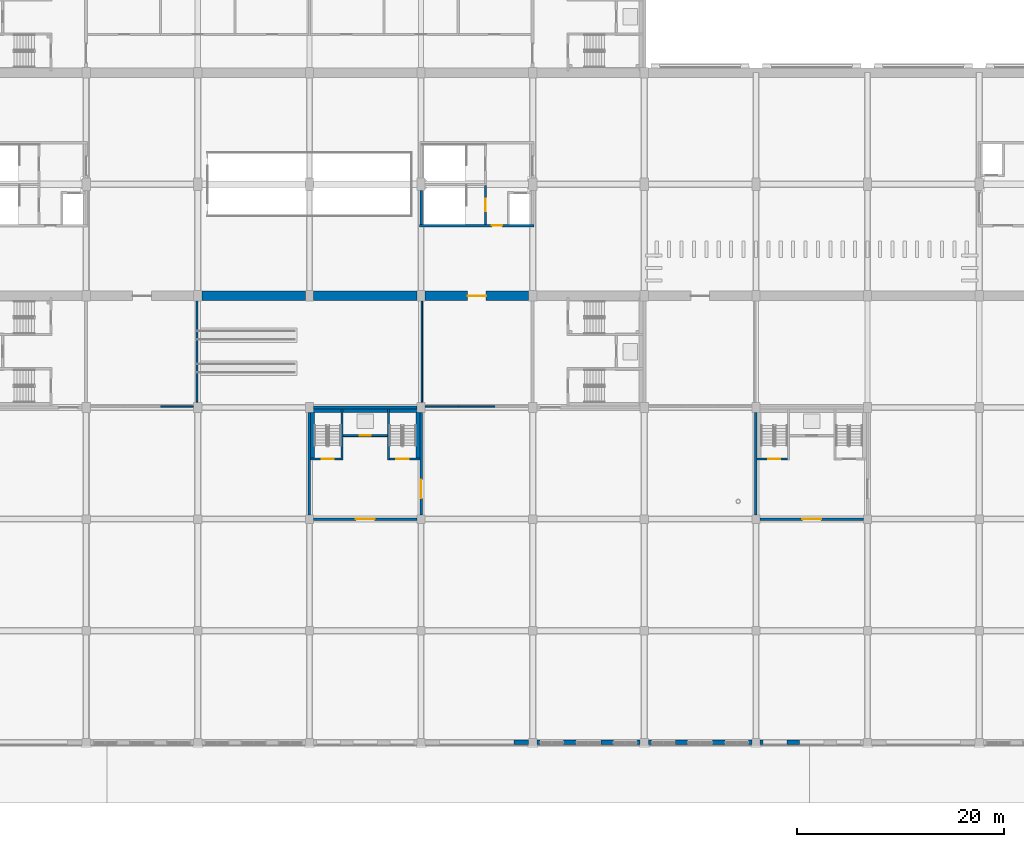
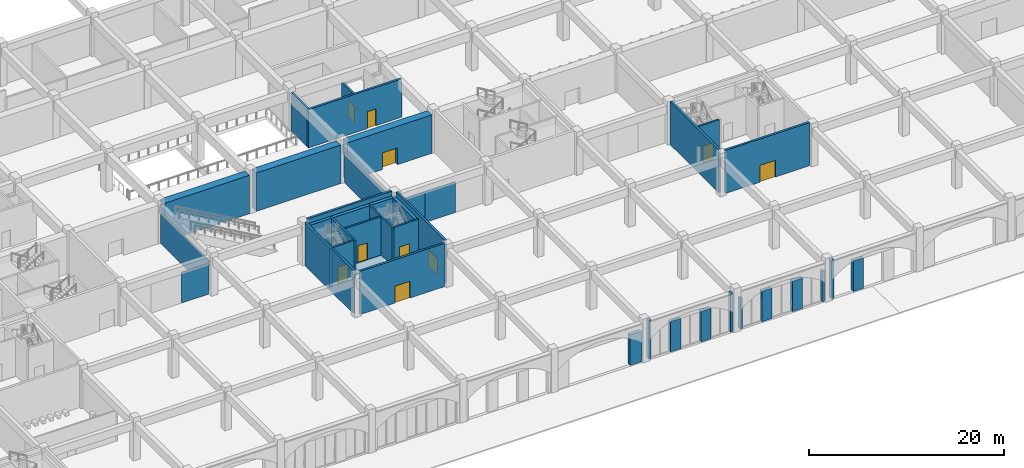
# One storey, part 29 of 101: 40 walls, 10 doors, 10 openings.
"""IFC4 building model written with IfcOpenShell, lengths in metres."""

from ifc_helpers import new_model, si_unit, direction, frame, frame_2d, origin, place, context, subcontext, project, spatial, polyline, rectangle, outline, extrude, material, layer, layer_set, type_object, element, fill, save


model = new_model("IFC4")

# Units and contexts
model_context = context("Model", 3, precision=1e-05, world=origin(), true_north=direction((0.0, 1.0)))
body_context = subcontext(model_context, "Body", "Model", "MODEL_VIEW")
ifc_project = project(units=[si_unit("LENGTHUNIT", "METRE"), si_unit("AREAUNIT", "SQUARE_METRE"), si_unit("VOLUMEUNIT", "CUBIC_METRE"), si_unit("PLANEANGLEUNIT", "RADIAN"), si_unit("MASSUNIT", "GRAM", prefix="KILO")], contexts=[model_context])

# Site, building, storey
site_placement = place(None, origin())
site = spatial("IfcSite", under=ifc_project, at=site_placement, CompositionType="ELEMENT")
building_placement = place(site_placement, origin())
building = spatial("IfcBuilding", under=site, at=building_placement, Name="Magnolia Steps Interchange", CompositionType="ELEMENT")
storey_placement = place(building_placement, frame((0.0, 0.0, -5.39990234375)))
storey = spatial("IfcBuildingStorey", under=building, at=storey_placement, Name="B1", CompositionType="ELEMENT", Elevation=-5.39990234375)

# Walls
ifc_material_1 = material(Name="Concrete C40", Category="concrete")
ifc_layer_1 = layer(ifc_material_1, 0.449951171875)
ifc_layer_set_1 = layer_set([ifc_layer_1], Name="Concrete C40 arcade wall 450")
wall_type_1 = type_object("IfcWallType", Name="Concrete C40 arcade wall 450", PredefinedType="SOLIDWALL", material=ifc_layer_set_1)
wall_1_placement = place(storey_placement, frame((105.39990234375, 10.0, 0.0), z_axis=(0.0, 0.0, 1.0), x_axis=(1.0, 0.0, 0.0)))
element("IfcWall", 1, at=wall_1_placement, inside=storey, type_object=wall_type_1, Name="Street arcade pier 29", PredefinedType="SOLIDWALL", context=body_context, shape_type="SweptSolid", body=[
    extrude(rectangle(XDim=1.400146484375, YDim=0.449951171875, at=frame_2d((0.7001953125, 0.0))), origin(), (0.0, 0.0, 1.0), 3.7998046875),
])
wall_2_placement = place(storey_placement, frame((107.60009765625, 10.0, 0.0), z_axis=(0.0, 0.0, 1.0), x_axis=(1.0, 0.0, 0.0)))
element("IfcWall", 2, at=wall_2_placement, inside=storey, type_object=wall_type_1, Name="Street arcade pier 29", PredefinedType="SOLIDWALL", context=body_context, shape_type="SweptSolid", body=[
    extrude(rectangle(XDim=0.2998046875, YDim=0.449951171875, at=frame_2d((0.14990234375, 0.0))), origin(), (0.0, 0.0, 1.0), 4.7998046875),
])
for number, where, z_axis, x_axis, name in (
    (3, (110.199951171875, 10.0, 0.0), (0.0, 0.0, 1.0), (1.0, 0.0, 0.0), "Street arcade pier 31"),
    (4, (113.800048828125, 10.0, 0.0), (0.0, 0.0, 1.0), (1.0, 0.0, 0.0), "Street arcade pier 33"),
):
    element("IfcWall", number, at=place(storey_placement, frame(where, z_axis=z_axis, x_axis=x_axis)), inside=storey, type_object=wall_type_1, Name=name, PredefinedType="SOLIDWALL", context=body_context, shape_type="SweptSolid", body=[
        extrude(rectangle(XDim=1.199951171875, YDim=0.449951171875, at=frame_2d((0.60009765625, 0.0))), origin(), (0.0, 0.0, 1.0), 3.7998046875),
    ])
wall_3_placement = place(storey_placement, frame((117.300048828125, 10.0, 0.0), z_axis=(0.0, 0.0, 1.0), x_axis=(1.0, 0.0, 0.0)))
element("IfcWall", 5, at=wall_3_placement, inside=storey, type_object=wall_type_1, Name="Street arcade pier 35", PredefinedType="SOLIDWALL", context=body_context, shape_type="SweptSolid", body=[
    extrude(rectangle(XDim=0.300048828125, YDim=0.449951171875, at=frame_2d((0.14990234375, 0.0))), origin(), (0.0, 0.0, 1.0), 4.7998046875),
])
wall_4_placement = place(storey_placement, frame((118.39990234375, 10.0, 0.0), z_axis=(0.0, 0.0, 1.0), x_axis=(1.0, 0.0, 0.0)))
element("IfcWall", 6, at=wall_4_placement, inside=storey, type_object=wall_type_1, Name="Street arcade pier 35", PredefinedType="SOLIDWALL", context=body_context, shape_type="SweptSolid", body=[
    extrude(rectangle(XDim=0.300048828125, YDim=0.449951171875, at=frame_2d((0.14990234375, 0.0))), origin(), (0.0, 0.0, 1.0), 3.7998046875),
])
for number, where, z_axis, x_axis, name in (
    (7, (121.0, 10.0, 0.0), (0.0, 0.0, 1.0), (1.0, 0.0, 0.0), "Street arcade pier 37"),
    (8, (124.60009765625, 10.0, 0.0), (0.0, 0.0, 1.0), (1.0, 0.0, 0.0), "Street arcade pier 39"),
):
    element("IfcWall", number, at=place(storey_placement, frame(where, z_axis=z_axis, x_axis=x_axis)), inside=storey, type_object=wall_type_1, Name=name, PredefinedType="SOLIDWALL", context=body_context, shape_type="SweptSolid", body=[
        extrude(rectangle(XDim=1.199951171875, YDim=0.449951171875, at=frame_2d((0.60009765625, 0.0))), origin(), (0.0, 0.0, 1.0), 3.7998046875),
    ])
wall_5_placement = place(storey_placement, frame((128.10009765625, 10.0, 0.0), z_axis=(0.0, 0.0, 1.0), x_axis=(1.0, 0.0, 0.0)))
element("IfcWall", 9, at=wall_5_placement, inside=storey, type_object=wall_type_1, Name="Street arcade pier 41", PredefinedType="SOLIDWALL", context=body_context, shape_type="SweptSolid", body=[
    extrude(rectangle(XDim=0.2998046875, YDim=0.449951171875, at=frame_2d((0.14990234375, 0.0))), origin(), (0.0, 0.0, 1.0), 3.7998046875),
])
wall_6_placement = place(storey_placement, frame((129.199951171875, 10.0, 0.0), z_axis=(0.0, 0.0, 1.0), x_axis=(1.0, 0.0, 0.0)))
element("IfcWall", 10, at=wall_6_placement, inside=storey, type_object=wall_type_1, Name="Street arcade pier 41", PredefinedType="SOLIDWALL", context=body_context, shape_type="SweptSolid", body=[
    extrude(rectangle(XDim=0.300048828125, YDim=0.449951171875, at=frame_2d((0.14990234375, 0.0))), origin(), (0.0, 0.0, 1.0), 4.7998046875),
])
wall_7_placement = place(storey_placement, frame((131.800048828125, 10.0, 0.0), z_axis=(0.0, 0.0, 1.0), x_axis=(1.0, 0.0, 0.0)))
element("IfcWall", 11, at=wall_7_placement, inside=storey, type_object=wall_type_1, Name="Street arcade pier 43", PredefinedType="SOLIDWALL", context=body_context, shape_type="SweptSolid", body=[
    extrude(rectangle(XDim=1.199951171875, YDim=0.449951171875, at=frame_2d((0.60009765625, 0.0))), origin(), (0.0, 0.0, 1.0), 3.7998046875),
])

# Wall, opening, door
ifc_material_2 = material(Name="Concrete C35", Category="concrete")
ifc_layer_2 = layer(ifc_material_2, 0.199951171875)
ifc_layer_set_2 = layer_set([ifc_layer_2], Name="Core enclosure wall 200")
wall_type_2 = type_object("IfcWallType", Name="Core enclosure wall 200", PredefinedType="SOLIDWALL", material=ifc_layer_set_2)
wall_8_placement = place(storey_placement, frame((102.625, 60.125, 0.0), z_axis=(0.0, 0.0, 1.0), x_axis=(0.0, 1.0, 0.0)))
wall_8 = element("IfcWall", 12, at=wall_8_placement, inside=storey, type_object=wall_type_2, Name="B1 PC2 enclosure wall", PredefinedType="SOLIDWALL", context=body_context, shape_type="SweptSolid", body=[
    extrude(rectangle(XDim=3.75, YDim=0.199951171875, at=frame_2d((1.875, 0.0))), origin(), (0.0, 0.0, 1.0), 3.599853515625),
])
opening_1_placement = place(wall_8_placement, frame((1.27490234375, 0.0, 0.0)))
opening_1 = element("IfcOpeningElement", 13, at=opening_1_placement, cuts=wall_8, Name="Opening D-PC2-B1-1", PredefinedType="OPENING", context=body_context, shape_type="SweptSolid", body=[
    extrude(rectangle(XDim=1.199951171875, YDim=2.10009765625, at=frame_2d((0.60009765625, 1.050048828125))), frame((0.0, 0.10986328125, 0.0), z_axis=(0.0, -1.0, 0.0), x_axis=(1.0, 0.0, 0.0)), (0.0, 0.0, 1.0), 0.219970703125),
])
ifc_material_3 = material(Name="Painted steel", Category="steel")
door_type_1 = type_object("IfcDoorType", Name="Stair fire door 1200x2100", OperationType="NOTDEFINED", PredefinedType="DOOR", material=ifc_material_3)
door_1_placement = place(opening_1_placement, frame((1.199951171875, 0.0, 0.0), z_axis=(0.0, 0.0, 1.0), x_axis=(-1.0, 0.0, 0.0)))
door_1 = element("IfcDoor", 14, at=door_1_placement, inside=storey, type_object=door_type_1, Name="Stair door ST11 B1", OperationType="SINGLE_SWING_RIGHT", OverallHeight=2.10009765625, OverallWidth=1.199951171875, PredefinedType="DOOR", context=body_context, shape_type="SweptSolid", body=[
    extrude(rectangle(XDim=1.199951171875, YDim=2.10009765625, at=frame_2d((0.60009765625, 1.050048828125))), frame((0.0, 0.02490234375, 0.0), z_axis=(0.0, -1.0, 0.0), x_axis=(1.0, 0.0, 0.0)), (0.0, 0.0, 1.0), 0.050048828125),
])
fill(opening_1, door_1)

wall_9_placement = place(storey_placement, frame((85.72509765625, 37.39990234375, 0.0), z_axis=(0.0, 0.0, 1.0), x_axis=(1.0, 0.0, 0.0)))
wall_9 = element("IfcWall", 15, at=wall_9_placement, inside=storey, type_object=wall_type_2, Name="B1 BC2 enclosure wall", PredefinedType="SOLIDWALL", context=body_context, shape_type="SweptSolid", body=[
    extrude(rectangle(XDim=2.9248046875, YDim=0.199951171875, at=frame_2d((1.46240234375, 0.0))), origin(), (0.0, 0.0, 1.0), 4.7998046875),
])
opening_2_placement = place(wall_9_placement, frame((1.050048828125, 0.0, 0.0)))
opening_2 = element("IfcOpeningElement", 16, at=opening_2_placement, cuts=wall_9, Name="Opening D-BC2-B1-1", PredefinedType="OPENING", context=body_context, shape_type="SweptSolid", body=[
    extrude(rectangle(XDim=1.199951171875, YDim=2.10009765625, at=frame_2d((0.60009765625, 1.050048828125))), frame((0.0, 0.10986328125, 0.0), z_axis=(0.0, -1.0, 0.0), x_axis=(1.0, 0.0, 0.0)), (0.0, 0.0, 1.0), 0.219970703125),
])
door_2_placement = place(opening_2_placement, frame((1.199951171875, 0.0, 0.0), z_axis=(0.0, 0.0, 1.0), x_axis=(-1.0, 0.0, 0.0)))
door_2 = element("IfcDoor", 17, at=door_2_placement, inside=storey, type_object=door_type_1, Name="Stair door ST19 B1", OperationType="SINGLE_SWING_LEFT", OverallHeight=2.10009765625, OverallWidth=1.199951171875, PredefinedType="DOOR", context=body_context, shape_type="SweptSolid", body=[
    extrude(rectangle(XDim=1.199951171875, YDim=2.10009765625, at=frame_2d((0.60009765625, 1.050048828125))), frame((0.0, 0.02490234375, 0.0), z_axis=(0.0, -1.0, 0.0), x_axis=(1.0, 0.0, 0.0)), (0.0, 0.0, 1.0), 0.050048828125),
])
fill(opening_2, door_2)

# Wall
wall_10_placement = place(storey_placement, frame((88.75, 37.300048828125, 0.0), z_axis=(0.0, 0.0, 1.0), x_axis=(0.0, 1.0, 0.0)))
element("IfcWall", 18, at=wall_10_placement, inside=storey, type_object=wall_type_2, Name="B1 BC2 enclosure wall", PredefinedType="SOLIDWALL", context=body_context, shape_type="SweptSolid", body=[
    extrude(rectangle(XDim=4.974853515625, YDim=0.199951171875, at=frame_2d((2.4873046875, 0.0))), origin(), (0.0, 0.0, 1.0), 4.7998046875),
])

# Wall, opening, door
wall_11_placement = place(storey_placement, frame((88.85009765625, 39.699951171875, 0.0), z_axis=(0.0, 0.0, 1.0), x_axis=(1.0, 0.0, 0.0)))
wall_11 = element("IfcWall", 19, at=wall_11_placement, inside=storey, type_object=wall_type_2, Name="B1 BC2 enclosure wall", PredefinedType="SOLIDWALL", context=body_context, shape_type="SweptSolid", body=[
    extrude(rectangle(XDim=4.2998046875, YDim=0.199951171875, at=frame_2d((2.14990234375, 0.0))), origin(), (0.0, 0.0, 1.0), 4.7998046875),
])
opening_3_placement = place(wall_11_placement, frame((1.60009765625, 0.0, 0.0)))
opening_3 = element("IfcOpeningElement", 20, at=opening_3_placement, cuts=wall_11, Name="Opening LD", PredefinedType="OPENING", context=body_context, shape_type="SweptSolid", body=[
    extrude(rectangle(XDim=1.10009765625, YDim=2.10009765625, at=frame_2d((0.550048828125, 1.050048828125))), frame((0.0, 0.10986328125, 0.0), z_axis=(0.0, -1.0, 0.0), x_axis=(1.0, 0.0, 0.0)), (0.0, 0.0, 1.0), 0.219970703125),
])
ifc_material_4 = material(Name="Stainless steel grade 304", Category="steel")
door_type_2 = type_object("IfcDoorType", Name="Lift landing door 1100x2100", OperationType="DOUBLE_DOOR_SLIDING", PredefinedType="DOOR", material=ifc_material_4)
door_3_placement = place(opening_3_placement, frame((1.10009765625, 0.0, 0.0), z_axis=(0.0, 0.0, 1.0), x_axis=(-1.0, 0.0, 0.0)))
door_3 = element("IfcDoor", 21, at=door_3_placement, inside=storey, type_object=door_type_2, Name="Lift landing door LF9 B1", OperationType="DOUBLE_DOOR_SLIDING", OverallHeight=2.10009765625, OverallWidth=1.10009765625, PredefinedType="DOOR", context=body_context, shape_type="SweptSolid", body=[
    extrude(rectangle(XDim=1.10009765625, YDim=2.10009765625, at=frame_2d((0.550048828125, 1.050048828125))), frame((0.0, 0.02490234375, 0.0), z_axis=(0.0, -1.0, 0.0), x_axis=(1.0, 0.0, 0.0)), (0.0, 0.0, 1.0), 0.050048828125),
])
fill(opening_3, door_3)

# Wall
wall_12_placement = place(storey_placement, frame((93.25, 37.300048828125, 0.0), z_axis=(0.0, 0.0, 1.0), x_axis=(0.0, 1.0, 0.0)))
element("IfcWall", 22, at=wall_12_placement, inside=storey, type_object=wall_type_2, Name="B1 BC2 enclosure wall", PredefinedType="SOLIDWALL", context=body_context, shape_type="SweptSolid", body=[
    extrude(rectangle(XDim=4.974853515625, YDim=0.199951171875, at=frame_2d((2.4873046875, 0.0))), origin(), (0.0, 0.0, 1.0), 4.7998046875),
])

# Wall, opening, door
wall_13_placement = place(storey_placement, frame((93.35009765625, 37.39990234375, 0.0), z_axis=(0.0, 0.0, 1.0), x_axis=(1.0, 0.0, 0.0)))
wall_13 = element("IfcWall", 23, at=wall_13_placement, inside=storey, type_object=wall_type_2, Name="B1 BC2 enclosure wall", PredefinedType="SOLIDWALL", context=body_context, shape_type="SweptSolid", body=[
    extrude(rectangle(XDim=2.9248046875, YDim=0.199951171875, at=frame_2d((1.46240234375, 0.0))), origin(), (0.0, 0.0, 1.0), 4.7998046875),
])
opening_4_placement = place(wall_13_placement, frame((0.675048828125, 0.0, 0.0)))
opening_4 = element("IfcOpeningElement", 24, at=opening_4_placement, cuts=wall_13, Name="Opening D-BC2-B1-2", PredefinedType="OPENING", context=body_context, shape_type="SweptSolid", body=[
    extrude(rectangle(XDim=1.199951171875, YDim=2.10009765625, at=frame_2d((0.60009765625, 1.050048828125))), frame((0.0, 0.10986328125, 0.0), z_axis=(0.0, -1.0, 0.0), x_axis=(1.0, 0.0, 0.0)), (0.0, 0.0, 1.0), 0.219970703125),
])
door_4_placement = place(opening_4_placement, frame((1.199951171875, 0.0, 0.0), z_axis=(0.0, 0.0, 1.0), x_axis=(-1.0, 0.0, 0.0)))
door_4 = element("IfcDoor", 25, at=door_4_placement, inside=storey, type_object=door_type_1, Name="Stair door ST20 B1", OperationType="SINGLE_SWING_RIGHT", OverallHeight=2.10009765625, OverallWidth=1.199951171875, PredefinedType="DOOR", context=body_context, shape_type="SweptSolid", body=[
    extrude(rectangle(XDim=1.199951171875, YDim=2.10009765625, at=frame_2d((0.60009765625, 1.050048828125))), frame((0.0, 0.02490234375, 0.0), z_axis=(0.0, -1.0, 0.0), x_axis=(1.0, 0.0, 0.0)), (0.0, 0.0, 1.0), 0.050048828125),
])
fill(opening_4, door_4)

wall_14_placement = place(storey_placement, frame((128.925048828125, 37.39990234375, 0.0), z_axis=(0.0, 0.0, 1.0), x_axis=(1.0, 0.0, 0.0)))
wall_14 = element("IfcWall", 26, at=wall_14_placement, inside=storey, type_object=wall_type_2, Name="B1 BC3 enclosure wall", PredefinedType="SOLIDWALL", context=body_context, shape_type="SweptSolid", body=[
    extrude(rectangle(XDim=2.925048828125, YDim=0.199951171875, at=frame_2d((1.46240234375, 0.0))), origin(), (0.0, 0.0, 1.0), 4.7998046875),
])
opening_5_placement = place(wall_14_placement, frame((1.050048828125, 0.0, 0.0)))
opening_5 = element("IfcOpeningElement", 27, at=opening_5_placement, cuts=wall_14, Name="Opening D-BC3-B1-1", PredefinedType="OPENING", context=body_context, shape_type="SweptSolid", body=[
    extrude(rectangle(XDim=1.199951171875, YDim=2.10009765625, at=frame_2d((0.60009765625, 1.050048828125))), frame((0.0, 0.10986328125, 0.0), z_axis=(0.0, -1.0, 0.0), x_axis=(1.0, 0.0, 0.0)), (0.0, 0.0, 1.0), 0.219970703125),
])
door_5_placement = place(opening_5_placement, frame((1.199951171875, 0.0, 0.0), z_axis=(0.0, 0.0, 1.0), x_axis=(-1.0, 0.0, 0.0)))
door_5 = element("IfcDoor", 28, at=door_5_placement, inside=storey, type_object=door_type_1, Name="Stair door ST21 B1", OperationType="SINGLE_SWING_LEFT", OverallHeight=2.10009765625, OverallWidth=1.199951171875, PredefinedType="DOOR", context=body_context, shape_type="SweptSolid", body=[
    extrude(rectangle(XDim=1.199951171875, YDim=2.10009765625, at=frame_2d((0.60009765625, 1.050048828125))), frame((0.0, 0.02490234375, 0.0), z_axis=(0.0, -1.0, 0.0), x_axis=(1.0, 0.0, 0.0)), (0.0, 0.0, 1.0), 0.050048828125),
])
fill(opening_5, door_5)

# Walls
ifc_material_5 = material(Name="Concrete C35", Category="concrete")
ifc_layer_3 = layer(ifc_material_5, 0.375)
ifc_layer_set_3 = layer_set([ifc_layer_3], Name="Core lining wall 375")
wall_type_3 = type_object("IfcWallType", Name="Core lining wall 375", PredefinedType="SOLIDWALL", material=ifc_layer_set_3)
wall_15_placement = place(storey_placement, frame((85.91259765625, 37.300048828125, 0.0), z_axis=(0.0, 0.0, 1.0), x_axis=(0.0, 1.0, 0.0)))
element("IfcWall", 29, at=wall_15_placement, inside=storey, type_object=wall_type_3, Name="B1 BC2 stair lining wall", PredefinedType="SOLIDWALL", context=body_context, shape_type="SweptSolid", body=[
    extrude(rectangle(XDim=4.974853515625, YDim=0.375, at=frame_2d((2.4873046875, 0.0))), origin(), (0.0, 0.0, 1.0), 4.7998046875),
])
wall_16_placement = place(storey_placement, frame((85.72509765625, 42.08740234375, 0.0), z_axis=(0.0, 0.0, 1.0), x_axis=(1.0, 0.0, 0.0)))
element("IfcWall", 30, at=wall_16_placement, inside=storey, type_object=wall_type_3, Name="B1 BC2 stair lining wall", PredefinedType="SOLIDWALL", context=body_context, shape_type="SweptSolid", body=[
    extrude(rectangle(XDim=2.9248046875, YDim=0.375, at=frame_2d((1.46240234375, 0.0))), origin(), (0.0, 0.0, 1.0), 4.7998046875),
])
wall_17_placement = place(storey_placement, frame((96.08740234375, 37.300048828125, 0.0), z_axis=(0.0, 0.0, 1.0), x_axis=(0.0, 1.0, 0.0)))
element("IfcWall", 31, at=wall_17_placement, inside=storey, type_object=wall_type_3, Name="B1 BC2 stair lining wall", PredefinedType="SOLIDWALL", context=body_context, shape_type="SweptSolid", body=[
    extrude(rectangle(XDim=4.974853515625, YDim=0.375, at=frame_2d((2.4873046875, 0.0))), origin(), (0.0, 0.0, 1.0), 4.7998046875),
])
wall_18_placement = place(storey_placement, frame((93.35009765625, 42.08740234375, 0.0), z_axis=(0.0, 0.0, 1.0), x_axis=(1.0, 0.0, 0.0)))
element("IfcWall", 32, at=wall_18_placement, inside=storey, type_object=wall_type_3, Name="B1 BC2 stair lining wall", PredefinedType="SOLIDWALL", context=body_context, shape_type="SweptSolid", body=[
    extrude(rectangle(XDim=2.9248046875, YDim=0.375, at=frame_2d((1.46240234375, 0.0))), origin(), (0.0, 0.0, 1.0), 4.7998046875),
])
wall_19_placement = place(storey_placement, frame((88.85009765625, 42.08740234375, 0.0), z_axis=(0.0, 0.0, 1.0), x_axis=(1.0, 0.0, 0.0)))
element("IfcWall", 33, at=wall_19_placement, inside=storey, type_object=wall_type_3, Name="B1 BC2 stair lining wall", PredefinedType="SOLIDWALL", context=body_context, shape_type="SweptSolid", body=[
    extrude(rectangle(XDim=4.2998046875, YDim=0.375, at=frame_2d((2.14990234375, 0.0))), origin(), (0.0, 0.0, 1.0), 4.7998046875),
])

# Wall, opening, door
ifc_material_6 = material(Name="Concrete C40", Category="concrete")
ifc_layer_4 = layer(ifc_material_6, 0.25)
ifc_layer_set_4 = layer_set([ifc_layer_4], Name="Core wall 250")
wall_type_4 = type_object("IfcWallType", Name="Core wall 250", PredefinedType="SOLIDWALL", material=ifc_layer_set_4)
wall_20_placement = place(storey_placement, frame((96.27490234375, 60.0, 0.0), z_axis=(0.0, 0.0, 1.0), x_axis=(1.0, 0.0, 0.0)))
wall_20 = element("IfcWall", 34, at=wall_20_placement, inside=storey, type_object=wall_type_4, Name="Core wall PC2", PredefinedType="SOLIDWALL", context=body_context, shape_type="SweptSolid", body=[
    extrude(rectangle(XDim=11.050048828125, YDim=0.25, at=frame_2d((5.52490234375, 0.0))), origin(), (0.0, 0.0, 1.0), 4.7998046875),
])
opening_6_placement = place(wall_20_placement, frame((6.97509765625, 0.0, 0.0)))
opening_6 = element("IfcOpeningElement", 35, at=opening_6_placement, cuts=wall_20, Name="Opening D-PC2-B1-4", PredefinedType="OPENING", context=body_context, shape_type="SweptSolid", body=[
    extrude(rectangle(XDim=1.0, YDim=2.10009765625, at=frame_2d((0.5, 1.050048828125))), frame((0.0, 0.135009765625, 0.0), z_axis=(0.0, -1.0, 0.0), x_axis=(1.0, 0.0, 0.0)), (0.0, 0.0, 1.0), 0.27001953125),
])
ifc_material_7 = material(Name="Timber and glass", Category="wood")
door_type_3 = type_object("IfcDoorType", Name="Core entrance door 1000x2100", OperationType="NOTDEFINED", PredefinedType="DOOR", material=ifc_material_7)
door_6_placement = place(opening_6_placement, frame((1.0, 0.0, 0.0), z_axis=(0.0, 0.0, 1.0), x_axis=(-1.0, 0.0, 0.0)))
door_6 = element("IfcDoor", 36, at=door_6_placement, inside=storey, type_object=door_type_3, Name="Core entrance door PC2 B1", OperationType="SINGLE_SWING_LEFT", OverallHeight=2.10009765625, OverallWidth=1.0, PredefinedType="DOOR", context=body_context, shape_type="SweptSolid", body=[
    extrude(rectangle(XDim=1.0, YDim=2.10009765625, at=frame_2d((0.5, 1.050048828125))), frame((0.0, 0.02490234375, 0.0), z_axis=(0.0, -1.0, 0.0), x_axis=(1.0, 0.0, 0.0)), (0.0, 0.0, 1.0), 0.050048828125),
])
fill(opening_6, door_6)

# Wall
wall_21_placement = place(storey_placement, frame((96.39990234375, 63.39990234375, 0.0), z_axis=(0.0, 0.0, 1.0), x_axis=(0.0, -1.0, 0.0)))
element("IfcWall", 37, at=wall_21_placement, inside=storey, type_object=wall_type_4, Name="Core wall PC2", PredefinedType="SOLIDWALL", context=body_context, shape_type="SweptSolid", body=[
    extrude(rectangle(XDim=3.27490234375, YDim=0.25, at=frame_2d((1.637451171875, 0.0))), origin(), (0.0, 0.0, 1.0), 4.7998046875),
])

# Wall, opening, door
wall_22_placement = place(storey_placement, frame((86.0, 31.60009765625, 0.0), z_axis=(0.0, 0.0, 1.0), x_axis=(1.0, 0.0, 0.0)))
wall_22 = element("IfcWall", 38, at=wall_22_placement, inside=storey, type_object=wall_type_4, Name="Core wall BC2", PredefinedType="SOLIDWALL", context=body_context, shape_type="SweptSolid", body=[
    extrude(rectangle(XDim=10.0, YDim=0.25, at=frame_2d((5.0, 0.0))), origin(), (0.0, 0.0, 1.0), 5.39990234375),
])
opening_7_placement = place(wall_22_placement, frame((4.10009765625, 0.0, 0.0)))
opening_7 = element("IfcOpeningElement", 39, at=opening_7_placement, cuts=wall_22, Name="Opening D-BC2-B1-3", PredefinedType="OPENING", context=body_context, shape_type="SweptSolid", body=[
    extrude(rectangle(XDim=1.800048828125, YDim=2.10009765625, at=frame_2d((0.89990234375, 1.050048828125))), frame((0.0, 0.135009765625, 0.0), z_axis=(0.0, -1.0, 0.0), x_axis=(1.0, 0.0, 0.0)), (0.0, 0.0, 1.0), 0.27001953125),
])
ifc_material_8 = material(Name="Timber and glass", Category="wood")
door_type_4 = type_object("IfcDoorType", Name="Core entrance door pair 1800x2100", OperationType="DOUBLE_DOOR_DOUBLE_SWING", PredefinedType="DOOR", material=ifc_material_8)
door_7_placement = place(opening_7_placement, frame((1.800048828125, 0.0, 0.0), z_axis=(0.0, 0.0, 1.0), x_axis=(-1.0, 0.0, 0.0)))
door_7 = element("IfcDoor", 40, at=door_7_placement, inside=storey, type_object=door_type_4, Name="Core entrance door BC2 B1", OperationType="DOUBLE_DOOR_DOUBLE_SWING", OverallHeight=2.10009765625, OverallWidth=1.800048828125, PredefinedType="DOOR", context=body_context, shape_type="SweptSolid", body=[
    extrude(rectangle(XDim=1.800048828125, YDim=2.10009765625, at=frame_2d((0.89990234375, 1.050048828125))), frame((0.0, 0.02490234375, 0.0), z_axis=(0.0, -1.0, 0.0), x_axis=(1.0, 0.0, 0.0)), (0.0, 0.0, 1.0), 0.050048828125),
])
fill(opening_7, door_7)

wall_23_placement = place(storey_placement, frame((96.39990234375, 32.0, 0.0), z_axis=(0.0, 0.0, 1.0), x_axis=(0.0, 1.0, 0.0)))
wall_23 = element("IfcWall", 41, at=wall_23_placement, inside=storey, type_object=wall_type_4, Name="Core wall BC2", PredefinedType="SOLIDWALL", context=body_context, shape_type="SweptSolid", body=[
    extrude(rectangle(XDim=9.89990234375, YDim=0.25, at=frame_2d((4.949951171875, 0.0))), origin(), (0.0, 0.0, 1.0), 5.39990234375),
])
opening_8_placement = place(wall_23_placement, frame((1.613037109375, 0.0, 0.0)))
opening_8 = element("IfcOpeningElement", 42, at=opening_8_placement, cuts=wall_23, Name="Opening D-BC2-B1-4", PredefinedType="OPENING", context=body_context, shape_type="SweptSolid", body=[
    extrude(rectangle(XDim=1.800048828125, YDim=2.10009765625, at=frame_2d((0.89990234375, 1.050048828125))), frame((0.0, 0.135009765625, 0.0), z_axis=(0.0, -1.0, 0.0), x_axis=(1.0, 0.0, 0.0)), (0.0, 0.0, 1.0), 0.27001953125),
])
door_8_placement = place(opening_8_placement, frame((1.800048828125, 0.0, 0.0), z_axis=(0.0, 0.0, 1.0), x_axis=(-1.0, 0.0, 0.0)))
door_8 = element("IfcDoor", 43, at=door_8_placement, inside=storey, type_object=door_type_4, Name="Core entrance door BC2 B1", OperationType="DOUBLE_DOOR_DOUBLE_SWING", OverallHeight=2.10009765625, OverallWidth=1.800048828125, PredefinedType="DOOR", context=body_context, shape_type="SweptSolid", body=[
    extrude(rectangle(XDim=1.800048828125, YDim=2.10009765625, at=frame_2d((0.89990234375, 1.050048828125))), frame((0.0, 0.02490234375, 0.0), z_axis=(0.0, -1.0, 0.0), x_axis=(1.0, 0.0, 0.0)), (0.0, 0.0, 1.0), 0.050048828125),
])
fill(opening_8, door_8)

# Walls
wall_24_placement = place(storey_placement, frame((96.0, 42.39990234375, 0.0), z_axis=(0.0, 0.0, 1.0), x_axis=(-1.0, 0.0, 0.0)))
element("IfcWall", 44, at=wall_24_placement, inside=storey, type_object=wall_type_4, Name="Core wall BC2", PredefinedType="SOLIDWALL", context=body_context, shape_type="SweptSolid", body=[
    extrude(rectangle(XDim=10.0, YDim=0.25, at=frame_2d((5.0, 0.0))), origin(), (0.0, 0.0, 1.0), 5.39990234375),
])
wall_25_placement = place(storey_placement, frame((85.60009765625, 41.89990234375, 0.0), z_axis=(0.0, 0.0, 1.0), x_axis=(0.0, -1.0, 0.0)))
element("IfcWall", 45, at=wall_25_placement, inside=storey, type_object=wall_type_4, Name="Core wall BC2", PredefinedType="SOLIDWALL", context=body_context, shape_type="SweptSolid", body=[
    extrude(rectangle(XDim=9.89990234375, YDim=0.25, at=frame_2d((4.949951171875, 0.0))), origin(), (0.0, 0.0, 1.0), 5.39990234375),
])

# Wall, opening, door
wall_26_placement = place(storey_placement, frame((129.199951171875, 31.60009765625, 0.0), z_axis=(0.0, 0.0, 1.0), x_axis=(1.0, 0.0, 0.0)))
wall_26 = element("IfcWall", 46, at=wall_26_placement, inside=storey, type_object=wall_type_4, Name="Core wall BC3", PredefinedType="SOLIDWALL", context=body_context, shape_type="SweptSolid", body=[
    extrude(rectangle(XDim=10.0, YDim=0.25, at=frame_2d((5.0, 0.0))), origin(), (0.0, 0.0, 1.0), 5.39990234375),
])
opening_9_placement = place(wall_26_placement, frame((4.10009765625, 0.0, 0.0)))
opening_9 = element("IfcOpeningElement", 47, at=opening_9_placement, cuts=wall_26, Name="Opening D-BC3-B1-3", PredefinedType="OPENING", context=body_context, shape_type="SweptSolid", body=[
    extrude(rectangle(XDim=1.800048828125, YDim=2.10009765625, at=frame_2d((0.89990234375, 1.050048828125))), frame((0.0, 0.135009765625, 0.0), z_axis=(0.0, -1.0, 0.0), x_axis=(1.0, 0.0, 0.0)), (0.0, 0.0, 1.0), 0.27001953125),
])
door_9_placement = place(opening_9_placement, frame((1.800048828125, 0.0, 0.0), z_axis=(0.0, 0.0, 1.0), x_axis=(-1.0, 0.0, 0.0)))
door_9 = element("IfcDoor", 48, at=door_9_placement, inside=storey, type_object=door_type_4, Name="Core entrance door BC3 B1", OperationType="DOUBLE_DOOR_DOUBLE_SWING", OverallHeight=2.10009765625, OverallWidth=1.800048828125, PredefinedType="DOOR", context=body_context, shape_type="SweptSolid", body=[
    extrude(rectangle(XDim=1.800048828125, YDim=2.10009765625, at=frame_2d((0.89990234375, 1.050048828125))), frame((0.0, 0.02490234375, 0.0), z_axis=(0.0, -1.0, 0.0), x_axis=(1.0, 0.0, 0.0)), (0.0, 0.0, 1.0), 0.050048828125),
])
fill(opening_9, door_9)

# Walls
wall_27_placement = place(storey_placement, frame((128.800048828125, 41.89990234375, 0.0), z_axis=(0.0, 0.0, 1.0), x_axis=(0.0, -1.0, 0.0)))
element("IfcWall", 49, at=wall_27_placement, inside=storey, type_object=wall_type_4, Name="Core wall BC3", PredefinedType="SOLIDWALL", context=body_context, shape_type="SweptSolid", body=[
    extrude(rectangle(XDim=9.89990234375, YDim=0.25, at=frame_2d((4.949951171875, 0.0))), origin(), (0.0, 0.0, 1.0), 5.39990234375),
])
ifc_material_9 = material(Name="Concrete C40", Category="concrete")
ifc_layer_5 = layer(ifc_material_9, 0.89990234375)
ifc_layer_set_5 = layer_set([ifc_layer_5], Name="Diaphragm wall 900")
wall_type_5 = type_object("IfcWallType", Name="Diaphragm wall 900", PredefinedType="SOLIDWALL", material=ifc_layer_set_5)
for number, where, z_axis, x_axis, name in (
    (50, (75.199951171875, 53.199951171875, 0.0), (0.0, 0.0, 1.0), (1.0, 0.0, 0.0), "Metro box wall S"),
    (51, (86.0, 53.199951171875, 0.0), (0.0, 0.0, 1.0), (1.0, 0.0, 0.0), "Metro box wall S"),
):
    element("IfcWall", number, at=place(storey_placement, frame(where, z_axis=z_axis, x_axis=x_axis)), inside=storey, type_object=wall_type_5, Name=name, PredefinedType="SOLIDWALL", context=body_context, shape_type="SweptSolid", body=[
        extrude(rectangle(XDim=10.0, YDim=0.89990234375, at=frame_2d((5.0, 0.0))), origin(), (0.0, 0.0, 1.0), 4.7998046875),
    ])

# Wall, opening, door
wall_28_placement = place(storey_placement, frame((96.800048828125, 53.199951171875, 0.0), z_axis=(0.0, 0.0, 1.0), x_axis=(1.0, 0.0, 0.0)))
wall_28 = element("IfcWall", 52, at=wall_28_placement, inside=storey, type_object=wall_type_5, Name="Metro box wall S", PredefinedType="SOLIDWALL", context=body_context, shape_type="SweptSolid", body=[
    extrude(rectangle(XDim=10.0, YDim=0.89990234375, at=frame_2d((5.0, 0.0))), origin(), (0.0, 0.0, 1.0), 4.7998046875),
])
opening_10_placement = place(wall_28_placement, frame((4.10009765625, 0.0, 0.0)))
opening_10 = element("IfcOpeningElement", 53, at=opening_10_placement, cuts=wall_28, Name="Opening D-B1-17", PredefinedType="OPENING", context=body_context, shape_type="SweptSolid", body=[
    extrude(rectangle(XDim=1.800048828125, YDim=2.10009765625, at=frame_2d((0.89990234375, 1.050048828125))), frame((0.0, 0.4599609375, 0.0), z_axis=(0.0, -1.0, 0.0), x_axis=(1.0, 0.0, 0.0)), (0.0, 0.0, 1.0), 0.919921875),
])
ifc_material_10 = material(Name="Timber", Category="wood")
door_type_5 = type_object("IfcDoorType", Name="Room door pair 1800x2100", OperationType="DOUBLE_DOOR_DOUBLE_SWING", PredefinedType="DOOR", material=ifc_material_10)
door_10_placement = place(opening_10_placement, frame((1.800048828125, 0.0, 0.0), z_axis=(0.0, 0.0, 1.0), x_axis=(-1.0, 0.0, 0.0)))
door_10 = element("IfcDoor", 54, at=door_10_placement, inside=storey, type_object=door_type_5, Name="Retail Kiosk 1 door", OperationType="DOUBLE_DOOR_DOUBLE_SWING", OverallHeight=2.10009765625, OverallWidth=1.800048828125, PredefinedType="DOOR", context=body_context, shape_type="SweptSolid", body=[
    extrude(rectangle(XDim=1.800048828125, YDim=2.10009765625, at=frame_2d((0.89990234375, 1.050048828125))), frame((0.0, 0.02490234375, 0.0), z_axis=(0.0, -1.0, 0.0), x_axis=(1.0, 0.0, 0.0)), (0.0, 0.0, 1.0), 0.050048828125),
])
fill(opening_10, door_10)

# Walls
ifc_material_11 = material(Name="Concrete C40", Category="concrete")
ifc_layer_6 = layer(ifc_material_11, 0.25)
ifc_layer_set_6 = layer_set([ifc_layer_6], Name="Lift pit wall 250")
wall_type_6 = type_object("IfcWallType", Name="Lift pit wall 250", PredefinedType="SOLIDWALL", material=ifc_layer_set_6)
wall_29_placement = place(storey_placement, frame((0.0, 0.0, -1.400146484375)))
element("IfcWall", 55, at=wall_29_placement, inside=storey, type_object=wall_type_6, Name="Lift pit wall BC2", PredefinedType="SOLIDWALL", context=body_context, shape_type="SweptSolid", body=[
    extrude(outline(polyline([(88.60009765625, 39.550048828125), (93.39990234375, 39.550048828125), (93.39990234375, 42.14990234375), (88.60009765625, 42.14990234375), (88.60009765625, 39.550048828125)]), holes=[polyline([(93.14990234375, 39.800048828125), (93.14990234375, 41.89990234375), (88.85009765625, 41.89990234375), (88.85009765625, 39.800048828125), (93.14990234375, 39.800048828125)])]), origin(), (0.0, 0.0, 1.0), 1.400146484375),
])
ifc_material_12 = material(Name="Fair-faced blockwork", Category="masonry")
ifc_layer_7 = layer(ifc_material_12, 0.14990234375)
ifc_layer_set_7 = layer_set([ifc_layer_7], Name="Partition wall 150")
wall_type_7 = type_object("IfcWallType", Name="Partition wall 150", PredefinedType="PARTITIONING", material=ifc_layer_set_7)
wall_30_placement = place(storey_placement, frame((71.199951171875, 42.47509765625, 0.0), z_axis=(0.0, 0.0, 1.0), x_axis=(1.0, 0.0, 0.0)))
element("IfcWall", 56, at=wall_30_placement, inside=storey, type_object=wall_type_7, Name="B1 partition 33", PredefinedType="PARTITIONING", context=body_context, shape_type="SweptSolid", body=[
    extrude(rectangle(XDim=3.179931640625, YDim=0.14990234375, at=frame_2d((1.58984375, 0.0))), origin(), (0.0, 0.0, 1.0), 3.7998046875),
])
for number, where, z_axis, x_axis, name in (
    (57, (74.72509765625, 42.919921875, 0.0), (0.0, 0.0, 1.0), (0.0, 1.0, 0.0), "B1 partition 35"),
    (58, (96.47509765625, 42.919921875, 0.0), (0.0, 0.0, 1.0), (0.0, 1.0, 0.0), "B1 partition 36"),
):
    element("IfcWall", number, at=place(storey_placement, frame(where, z_axis=z_axis, x_axis=x_axis)), inside=storey, type_object=wall_type_7, Name=name, PredefinedType="PARTITIONING", context=body_context, shape_type="SweptSolid", body=[
        extrude(rectangle(XDim=9.760009765625, YDim=0.14990234375, at=frame_2d((4.8798828125, 0.0))), origin(), (0.0, 0.0, 1.0), 3.7998046875),
    ])
wall_31_placement = place(storey_placement, frame((100.0, 42.47509765625, 0.0), z_axis=(0.0, 0.0, 1.0), x_axis=(1.0, 0.0, 0.0)))
element("IfcWall", 59, at=wall_31_placement, inside=storey, type_object=wall_type_7, Name="B1 partition 38", PredefinedType="PARTITIONING", context=body_context, shape_type="SweptSolid", body=[
    extrude(rectangle(XDim=3.60009765625, YDim=0.14990234375, at=frame_2d((1.800048828125, 0.0))), origin(), (0.0, 0.0, 1.0), 3.7998046875),
])
wall_32_placement = place(storey_placement, frame((96.820068359375, 42.47509765625, 0.0), z_axis=(0.0, 0.0, 1.0), x_axis=(1.0, 0.0, 0.0)))
element("IfcWall", 60, at=wall_32_placement, inside=storey, type_object=wall_type_7, Name="B1 partition 39", PredefinedType="PARTITIONING", context=body_context, shape_type="SweptSolid", body=[
    extrude(rectangle(XDim=3.179931640625, YDim=0.14990234375, at=frame_2d((1.58984375, 0.0))), origin(), (0.0, 0.0, 1.0), 3.7998046875),
])

save(model, "model.ifc")
